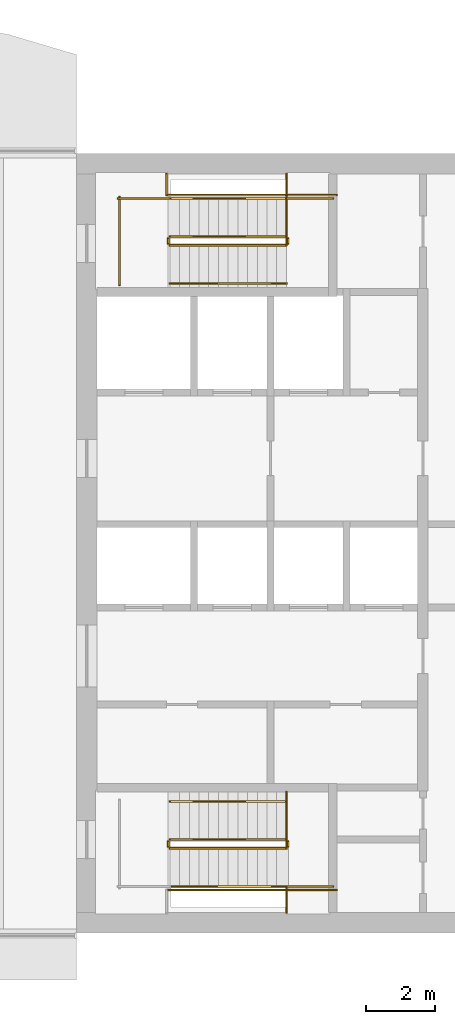
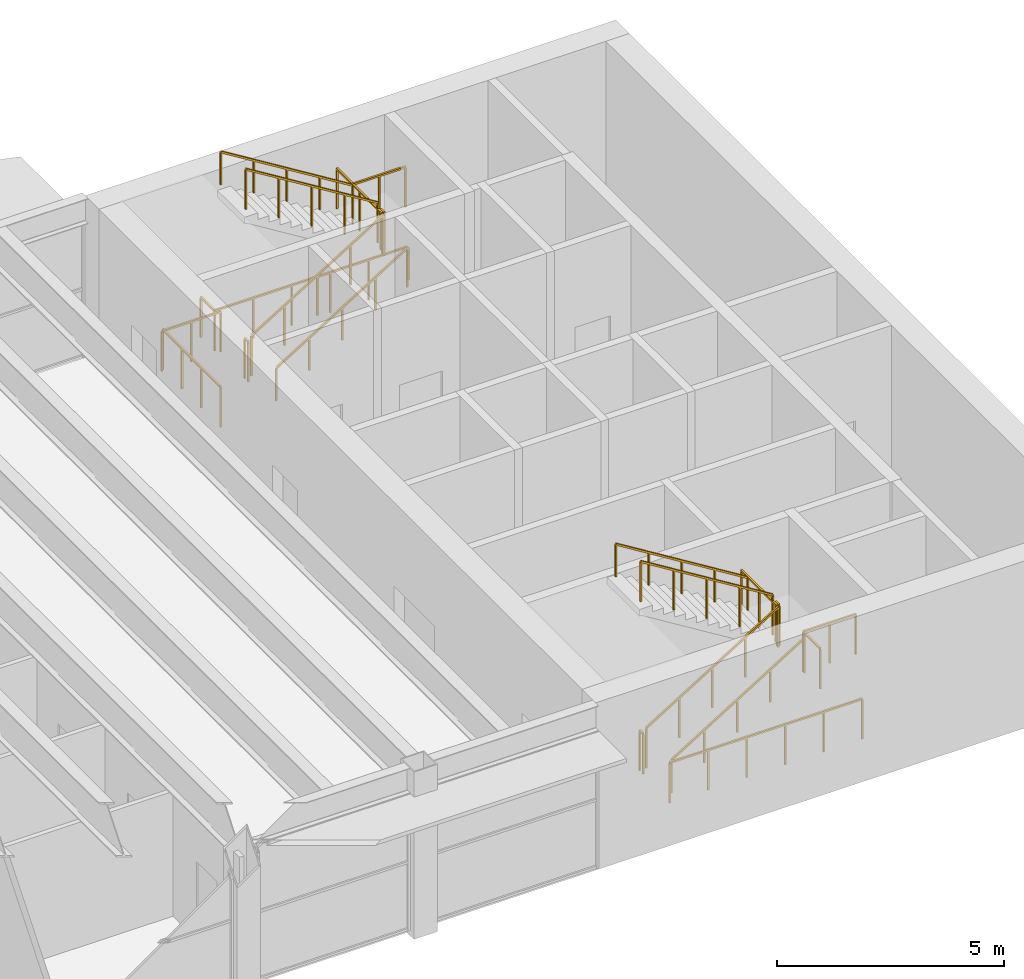
# One storey, part 14 of 14: 22 railings.
"""IFC4 building model written with IfcOpenShell, lengths in metres."""

from ifc_helpers import new_model, si_unit, direction, frame, origin, origin_2d, place, context, subcontext, project, spatial, rectangle, extrude, material, type_object, element, save


model = new_model("IFC4")

# Units and contexts
model_context = context("Model", 3, precision=1e-05, world=origin(), true_north=direction((0.0, 1.0)))
body_context = subcontext(model_context, "Body", "Model", "MODEL_VIEW")
ifc_project = project(units=[si_unit("LENGTHUNIT", "METRE"), si_unit("AREAUNIT", "SQUARE_METRE"), si_unit("VOLUMEUNIT", "CUBIC_METRE"), si_unit("PLANEANGLEUNIT", "RADIAN"), si_unit("MASSUNIT", "GRAM", prefix="KILO")], contexts=[model_context])

# Site, building, storey
site_placement = place(None, origin())
site = spatial("IfcSite", under=ifc_project, at=site_placement, CompositionType="ELEMENT")
building_placement = place(site_placement, origin())
building = spatial("IfcBuilding", under=site, at=building_placement, Name="Sennacour Bend Tower", CompositionType="ELEMENT")
storey_placement = place(building_placement, frame((0.0, 0.0, 305.0)))
storey = spatial("IfcBuildingStorey", under=building, at=storey_placement, Name="L70", CompositionType="ELEMENT", Elevation=305.0)

# Railings
ifc_material = material(Name="Stainless steel", Category="steel")
railing_type_1 = type_object("IfcRailingType", Name="RL-GUARD-1100", PredefinedType="GUARDRAIL", material=ifc_material)
railing_1_placement = place(storey_placement, frame((56.699951171875, 2.449951171875, 0.173095703125)))
element("IfcRailing", 1, at=railing_1_placement, inside=storey, type_object=railing_type_1, Name="L70 SA1 stair guard 1", PredefinedType="GUARDRAIL", context=body_context, shape_type="SweptSolid", body=[
    extrude(rectangle(XDim=0.048095703125, YDim=0.048095703125, at=origin_2d()), frame((0.0, 0.0, 1.076171875), z_axis=(0.850623216509, 0.0, 0.525775754039), x_axis=(0.0, 1.0, 0.0)), (0.0, 0.0, 1.0), 3.9501953125),
    extrude(rectangle(XDim=0.0419921875, YDim=0.0419921875, at=origin_2d()), origin(), (0.0, 0.0, 1.0), 1.052001953125),
    extrude(rectangle(XDim=0.0419921875, YDim=0.0419921875, at=origin_2d()), frame((0.840087890625, 0.0, 0.519287109375)), (0.0, 0.0, 1.0), 1.052001953125),
    extrude(rectangle(XDim=0.0419921875, YDim=0.0419921875, at=origin_2d()), frame((1.68017578125, 0.0, 1.03857421875)), (0.0, 0.0, 1.0), 1.052001953125),
    extrude(rectangle(XDim=0.0419921875, YDim=0.0419921875, at=origin_2d()), frame((2.52001953125, 0.0, 1.5576171875)), (0.0, 0.0, 1.0), 1.052001953125),
    extrude(rectangle(XDim=0.0419921875, YDim=0.0419921875, at=origin_2d()), frame((3.360107421875, 0.0, 2.076904296875)), (0.0, 0.0, 1.0), 1.052001953125),
])
railing_2_placement = place(storey_placement, frame((60.110107421875, 2.5, 2.25)))
element("IfcRailing", 2, at=railing_2_placement, inside=storey, type_object=railing_type_1, Name="L70 SA1 stair guard 2", PredefinedType="GUARDRAIL", context=body_context, shape_type="SweptSolid", body=[
    extrude(rectangle(XDim=0.048095703125, YDim=0.048095703125, at=origin_2d()), frame((0.0, 0.0, 1.076171875), z_axis=(0.0, 1.0, 0.0), x_axis=(-1.0, 0.0, 0.0)), (0.0, 0.0, 1.0), 0.14990234375),
    extrude(rectangle(XDim=0.0419921875, YDim=0.0419921875, at=origin_2d()), origin(), (0.0, 0.0, 1.0), 1.052001953125),
    extrude(rectangle(XDim=0.0419921875, YDim=0.0419921875, at=origin_2d()), frame((0.0, 0.14990234375, 0.0)), (0.0, 0.0, 1.0), 1.052001953125),
])
railing_3_placement = place(storey_placement, frame((60.06005859375, 1.35009765625, 2.25)))
element("IfcRailing", 3, at=railing_3_placement, inside=storey, type_object=railing_type_1, Name="L70 SA1 stair guard 3", PredefinedType="GUARDRAIL", context=body_context, shape_type="SweptSolid", body=[
    extrude(rectangle(XDim=0.048095703125, YDim=0.048095703125, at=origin_2d()), frame((0.0, 0.0, 1.076171875), z_axis=(1.0, 0.0, 0.0), x_axis=(0.0, 1.0, 0.0)), (0.0, 0.0, 1.0), 1.33984375),
    extrude(rectangle(XDim=0.0419921875, YDim=0.0419921875, at=origin_2d()), origin(), (0.0, 0.0, 1.0), 1.052001953125),
    extrude(rectangle(XDim=0.0419921875, YDim=0.0419921875, at=origin_2d()), frame((0.669921875, 0.0, 0.0)), (0.0, 0.0, 1.0), 1.052001953125),
    extrude(rectangle(XDim=0.0419921875, YDim=0.0419921875, at=origin_2d()), frame((1.33984375, 0.0, 0.0)), (0.0, 0.0, 1.0), 1.052001953125),
])
railing_4_placement = place(storey_placement, frame((60.06005859375, 2.699951171875, 2.423095703125)))
element("IfcRailing", 4, at=railing_4_placement, inside=storey, type_object=railing_type_1, Name="L70 SA1 stair guard 4", PredefinedType="GUARDRAIL", context=body_context, shape_type="SweptSolid", body=[
    extrude(rectangle(XDim=0.048095703125, YDim=0.048095703125, at=origin_2d()), frame((0.0, 0.0, 1.076171875), z_axis=(-0.850623216509, 0.0, 0.525775754039), x_axis=(0.0, -1.0, 0.0)), (0.0, 0.0, 1.0), 3.9501953125),
    extrude(rectangle(XDim=0.0419921875, YDim=0.0419921875, at=origin_2d()), origin(), (0.0, 0.0, 1.0), 1.052001953125),
    extrude(rectangle(XDim=0.0419921875, YDim=0.0419921875, at=origin_2d()), frame((-0.840087890625, 0.0, 0.519287109375)), (0.0, 0.0, 1.0), 1.052001953125),
    extrude(rectangle(XDim=0.0419921875, YDim=0.0419921875, at=origin_2d()), frame((-1.68017578125, 0.0, 1.03857421875)), (0.0, 0.0, 1.0), 1.052001953125),
    extrude(rectangle(XDim=0.0419921875, YDim=0.0419921875, at=origin_2d()), frame((-2.52001953125, 0.0, 1.5576171875)), (0.0, 0.0, 1.0), 1.052001953125),
    extrude(rectangle(XDim=0.0419921875, YDim=0.0419921875, at=origin_2d()), frame((-3.360107421875, 0.0, 2.076904296875)), (0.0, 0.0, 1.0), 1.052001953125),
])
railing_5_placement = place(storey_placement, frame((56.64990234375, 2.5, 0.0)))
element("IfcRailing", 5, at=railing_5_placement, inside=storey, type_object=railing_type_1, Name="L70 SA1 stair guard 5", PredefinedType="GUARDRAIL", context=body_context, shape_type="SweptSolid", body=[
    extrude(rectangle(XDim=0.048095703125, YDim=0.048095703125, at=origin_2d()), frame((0.0, 0.0, 1.076171875), z_axis=(0.0, 1.0, 0.0), x_axis=(-1.0, 0.0, 0.0)), (0.0, 0.0, 1.0), 0.14990234375),
    extrude(rectangle(XDim=0.0419921875, YDim=0.0419921875, at=origin_2d()), origin(), (0.0, 0.0, 1.0), 1.052001953125),
    extrude(rectangle(XDim=0.0419921875, YDim=0.0419921875, at=origin_2d()), frame((0.0, 0.14990234375, 0.0)), (0.0, 0.0, 1.0), 1.052001953125),
])
railing_6_placement = place(storey_placement, frame((56.60009765625, 1.25, 0.0)))
element("IfcRailing", 6, at=railing_6_placement, inside=storey, type_object=railing_type_1, Name="L70 SA1 stair guard 8", PredefinedType="GUARDRAIL", context=body_context, shape_type="SweptSolid", body=[
    extrude(rectangle(XDim=0.048095703125, YDim=0.048095703125, at=origin_2d()), frame((0.0, 0.0, 1.076171875), z_axis=(1.0, 0.0, 0.0), x_axis=(0.0, 1.0, 0.0)), (0.0, 0.0, 1.0), 4.89990234375),
    extrude(rectangle(XDim=0.0419921875, YDim=0.0419921875, at=origin_2d()), origin(), (0.0, 0.0, 1.0), 1.052001953125),
    extrude(rectangle(XDim=0.0419921875, YDim=0.0419921875, at=origin_2d()), frame((0.97998046875, 0.0, 0.0)), (0.0, 0.0, 1.0), 1.052001953125),
    extrude(rectangle(XDim=0.0419921875, YDim=0.0419921875, at=origin_2d()), frame((1.9599609375, 0.0, 0.0)), (0.0, 0.0, 1.0), 1.052001953125),
    extrude(rectangle(XDim=0.0419921875, YDim=0.0419921875, at=origin_2d()), frame((2.93994140625, 0.0, 0.0)), (0.0, 0.0, 1.0), 1.052001953125),
    extrude(rectangle(XDim=0.0419921875, YDim=0.0419921875, at=origin_2d()), frame((3.919921875, 0.0, 0.0)), (0.0, 0.0, 1.0), 1.052001953125),
    extrude(rectangle(XDim=0.0419921875, YDim=0.0419921875, at=origin_2d()), frame((4.89990234375, 0.0, 0.0)), (0.0, 0.0, 1.0), 1.052001953125),
])
railing_7_placement = place(storey_placement, frame((60.06005859375, 0.60009765625, 2.25)))
element("IfcRailing", 7, at=railing_7_placement, inside=storey, type_object=railing_type_1, Name="L70 SA1 landing edge guard 113", PredefinedType="GUARDRAIL", context=body_context, shape_type="SweptSolid", body=[
    extrude(rectangle(XDim=0.048095703125, YDim=0.048095703125, at=origin_2d()), frame((0.0, 0.0, 1.076171875), z_axis=(0.0, 1.0, 0.0), x_axis=(-1.0, 0.0, 0.0)), (0.0, 0.0, 1.0), 0.699951171875),
    extrude(rectangle(XDim=0.0419921875, YDim=0.0419921875, at=origin_2d()), origin(), (0.0, 0.0, 1.0), 1.052001953125),
    extrude(rectangle(XDim=0.0419921875, YDim=0.0419921875, at=origin_2d()), frame((0.0, 0.699951171875, 0.0)), (0.0, 0.0, 1.0), 1.052001953125),
])
railing_8_placement = place(storey_placement, frame((60.06005859375, 2.5, 2.25)))
element("IfcRailing", 8, at=railing_8_placement, inside=storey, type_object=railing_type_1, Name="L70 SA1 landing edge guard 114", PredefinedType="GUARDRAIL", context=body_context, shape_type="SweptSolid", body=[
    extrude(rectangle(XDim=0.048095703125, YDim=0.048095703125, at=origin_2d()), frame((0.0, 0.0, 1.076171875), z_axis=(0.0, 1.0, 0.0), x_axis=(-1.0, 0.0, 0.0)), (0.0, 0.0, 1.0), 1.574951171875),
    extrude(rectangle(XDim=0.0419921875, YDim=0.0419921875, at=origin_2d()), origin(), (0.0, 0.0, 1.0), 1.052001953125),
    extrude(rectangle(XDim=0.0419921875, YDim=0.0419921875, at=origin_2d()), frame((0.0, 0.78759765625, 0.0)), (0.0, 0.0, 1.0), 1.052001953125),
    extrude(rectangle(XDim=0.0419921875, YDim=0.0419921875, at=origin_2d()), frame((0.0, 1.574951171875, 0.0)), (0.0, 0.0, 1.0), 1.052001953125),
])
railing_9_placement = place(storey_placement, frame((56.699951171875, 19.85009765625, 0.173095703125)))
element("IfcRailing", 9, at=railing_9_placement, inside=storey, type_object=railing_type_1, Name="L70 SA2 stair guard 1", PredefinedType="GUARDRAIL", context=body_context, shape_type="SweptSolid", body=[
    extrude(rectangle(XDim=0.048095703125, YDim=0.048095703125, at=origin_2d()), frame((0.0, 0.0, 1.076171875), z_axis=(0.850623216509, 0.0, 0.525775754039), x_axis=(0.0, 1.0, 0.0)), (0.0, 0.0, 1.0), 3.9501953125),
    extrude(rectangle(XDim=0.0419921875, YDim=0.0419921875, at=origin_2d()), origin(), (0.0, 0.0, 1.0), 1.052001953125),
    extrude(rectangle(XDim=0.0419921875, YDim=0.0419921875, at=origin_2d()), frame((0.840087890625, 0.0, 0.519287109375)), (0.0, 0.0, 1.0), 1.052001953125),
    extrude(rectangle(XDim=0.0419921875, YDim=0.0419921875, at=origin_2d()), frame((1.68017578125, 0.0, 1.03857421875)), (0.0, 0.0, 1.0), 1.052001953125),
    extrude(rectangle(XDim=0.0419921875, YDim=0.0419921875, at=origin_2d()), frame((2.52001953125, 0.0, 1.5576171875)), (0.0, 0.0, 1.0), 1.052001953125),
    extrude(rectangle(XDim=0.0419921875, YDim=0.0419921875, at=origin_2d()), frame((3.360107421875, 0.0, 2.076904296875)), (0.0, 0.0, 1.0), 1.052001953125),
])
railing_10_placement = place(storey_placement, frame((60.110107421875, 19.89990234375, 2.25)))
element("IfcRailing", 10, at=railing_10_placement, inside=storey, type_object=railing_type_1, Name="L70 SA2 stair guard 2", PredefinedType="GUARDRAIL", context=body_context, shape_type="SweptSolid", body=[
    extrude(rectangle(XDim=0.048095703125, YDim=0.048095703125, at=origin_2d()), frame((0.0, 0.0, 1.076171875), z_axis=(0.0, 1.0, 0.0), x_axis=(-1.0, 0.0, 0.0)), (0.0, 0.0, 1.0), 0.150146484375),
    extrude(rectangle(XDim=0.0419921875, YDim=0.0419921875, at=origin_2d()), origin(), (0.0, 0.0, 1.0), 1.052001953125),
    extrude(rectangle(XDim=0.0419921875, YDim=0.0419921875, at=origin_2d()), frame((0.0, 0.150146484375, 0.0)), (0.0, 0.0, 1.0), 1.052001953125),
])
railing_11_placement = place(storey_placement, frame((60.06005859375, 21.199951171875, 2.25)))
element("IfcRailing", 11, at=railing_11_placement, inside=storey, type_object=railing_type_1, Name="L70 SA2 stair guard 3", PredefinedType="GUARDRAIL", context=body_context, shape_type="SweptSolid", body=[
    extrude(rectangle(XDim=0.048095703125, YDim=0.048095703125, at=origin_2d()), frame((0.0, 0.0, 1.076171875), z_axis=(1.0, 0.0, 0.0), x_axis=(0.0, 1.0, 0.0)), (0.0, 0.0, 1.0), 1.33984375),
    extrude(rectangle(XDim=0.0419921875, YDim=0.0419921875, at=origin_2d()), origin(), (0.0, 0.0, 1.0), 1.052001953125),
    extrude(rectangle(XDim=0.0419921875, YDim=0.0419921875, at=origin_2d()), frame((0.669921875, 0.0, 0.0)), (0.0, 0.0, 1.0), 1.052001953125),
    extrude(rectangle(XDim=0.0419921875, YDim=0.0419921875, at=origin_2d()), frame((1.33984375, 0.0, 0.0)), (0.0, 0.0, 1.0), 1.052001953125),
])
railing_12_placement = place(storey_placement, frame((60.06005859375, 20.10009765625, 2.423095703125)))
element("IfcRailing", 12, at=railing_12_placement, inside=storey, type_object=railing_type_1, Name="L70 SA2 stair guard 4", PredefinedType="GUARDRAIL", context=body_context, shape_type="SweptSolid", body=[
    extrude(rectangle(XDim=0.048095703125, YDim=0.048095703125, at=origin_2d()), frame((0.0, 0.0, 1.076171875), z_axis=(-0.850623216509, 0.0, 0.525775754039), x_axis=(0.0, -1.0, 0.0)), (0.0, 0.0, 1.0), 3.9501953125),
    extrude(rectangle(XDim=0.0419921875, YDim=0.0419921875, at=origin_2d()), origin(), (0.0, 0.0, 1.0), 1.052001953125),
    extrude(rectangle(XDim=0.0419921875, YDim=0.0419921875, at=origin_2d()), frame((-0.840087890625, 0.0, 0.519287109375)), (0.0, 0.0, 1.0), 1.052001953125),
    extrude(rectangle(XDim=0.0419921875, YDim=0.0419921875, at=origin_2d()), frame((-1.68017578125, 0.0, 1.03857421875)), (0.0, 0.0, 1.0), 1.052001953125),
    extrude(rectangle(XDim=0.0419921875, YDim=0.0419921875, at=origin_2d()), frame((-2.52001953125, 0.0, 1.5576171875)), (0.0, 0.0, 1.0), 1.052001953125),
    extrude(rectangle(XDim=0.0419921875, YDim=0.0419921875, at=origin_2d()), frame((-3.360107421875, 0.0, 2.076904296875)), (0.0, 0.0, 1.0), 1.052001953125),
])
railing_13_placement = place(storey_placement, frame((56.64990234375, 19.89990234375, 0.0)))
element("IfcRailing", 13, at=railing_13_placement, inside=storey, type_object=railing_type_1, Name="L70 SA2 stair guard 5", PredefinedType="GUARDRAIL", context=body_context, shape_type="SweptSolid", body=[
    extrude(rectangle(XDim=0.048095703125, YDim=0.048095703125, at=origin_2d()), frame((0.0, 0.0, 1.076171875), z_axis=(0.0, 1.0, 0.0), x_axis=(-1.0, 0.0, 0.0)), (0.0, 0.0, 1.0), 0.150146484375),
    extrude(rectangle(XDim=0.0419921875, YDim=0.0419921875, at=origin_2d()), origin(), (0.0, 0.0, 1.0), 1.052001953125),
    extrude(rectangle(XDim=0.0419921875, YDim=0.0419921875, at=origin_2d()), frame((0.0, 0.150146484375, 0.0)), (0.0, 0.0, 1.0), 1.052001953125),
])
railing_14_placement = place(storey_placement, frame((55.199951171875, 21.199951171875, 0.0)))
element("IfcRailing", 14, at=railing_14_placement, inside=storey, type_object=railing_type_1, Name="L70 SA2 stair guard 6", PredefinedType="GUARDRAIL", context=body_context, shape_type="SweptSolid", body=[
    extrude(rectangle(XDim=0.048095703125, YDim=0.048095703125, at=origin_2d()), frame((0.0, 0.0, 1.076171875), z_axis=(1.0, 0.0, 0.0), x_axis=(0.0, 1.0, 0.0)), (0.0, 0.0, 1.0), 1.5),
    extrude(rectangle(XDim=0.0419921875, YDim=0.0419921875, at=origin_2d()), origin(), (0.0, 0.0, 1.0), 1.052001953125),
    extrude(rectangle(XDim=0.0419921875, YDim=0.0419921875, at=origin_2d()), frame((0.75, 0.0, 0.0)), (0.0, 0.0, 1.0), 1.052001953125),
    extrude(rectangle(XDim=0.0419921875, YDim=0.0419921875, at=origin_2d()), frame((1.5, 0.0, 0.0)), (0.0, 0.0, 1.0), 1.052001953125),
])
railing_15_placement = place(storey_placement, frame((55.25, 18.699951171875, 0.0)))
element("IfcRailing", 15, at=railing_15_placement, inside=storey, type_object=railing_type_1, Name="L70 SA2 stair guard 7", PredefinedType="GUARDRAIL", context=body_context, shape_type="SweptSolid", body=[
    extrude(rectangle(XDim=0.048095703125, YDim=0.048095703125, at=origin_2d()), frame((0.0, 0.0, 1.076171875), z_axis=(0.0, 1.0, 0.0), x_axis=(-1.0, 0.0, 0.0)), (0.0, 0.0, 1.0), 2.550048828125),
    extrude(rectangle(XDim=0.0419921875, YDim=0.0419921875, at=origin_2d()), origin(), (0.0, 0.0, 1.0), 1.052001953125),
    extrude(rectangle(XDim=0.0419921875, YDim=0.0419921875, at=origin_2d()), frame((0.0, 0.85009765625, 0.0)), (0.0, 0.0, 1.0), 1.052001953125),
    extrude(rectangle(XDim=0.0419921875, YDim=0.0419921875, at=origin_2d()), frame((0.0, 1.699951171875, 0.0)), (0.0, 0.0, 1.0), 1.052001953125),
    extrude(rectangle(XDim=0.0419921875, YDim=0.0419921875, at=origin_2d()), frame((0.0, 2.550048828125, 0.0)), (0.0, 0.0, 1.0), 1.052001953125),
])
railing_16_placement = place(storey_placement, frame((56.60009765625, 21.300048828125, 0.0)))
element("IfcRailing", 16, at=railing_16_placement, inside=storey, type_object=railing_type_1, Name="L70 SA2 stair guard 8", PredefinedType="GUARDRAIL", context=body_context, shape_type="SweptSolid", body=[
    extrude(rectangle(XDim=0.048095703125, YDim=0.048095703125, at=origin_2d()), frame((0.0, 0.0, 1.076171875), z_axis=(1.0, 0.0, 0.0), x_axis=(0.0, 1.0, 0.0)), (0.0, 0.0, 1.0), 4.89990234375),
    extrude(rectangle(XDim=0.0419921875, YDim=0.0419921875, at=origin_2d()), origin(), (0.0, 0.0, 1.0), 1.052001953125),
    extrude(rectangle(XDim=0.0419921875, YDim=0.0419921875, at=origin_2d()), frame((0.97998046875, 0.0, 0.0)), (0.0, 0.0, 1.0), 1.052001953125),
    extrude(rectangle(XDim=0.0419921875, YDim=0.0419921875, at=origin_2d()), frame((1.9599609375, 0.0, 0.0)), (0.0, 0.0, 1.0), 1.052001953125),
    extrude(rectangle(XDim=0.0419921875, YDim=0.0419921875, at=origin_2d()), frame((2.93994140625, 0.0, 0.0)), (0.0, 0.0, 1.0), 1.052001953125),
    extrude(rectangle(XDim=0.0419921875, YDim=0.0419921875, at=origin_2d()), frame((3.919921875, 0.0, 0.0)), (0.0, 0.0, 1.0), 1.052001953125),
    extrude(rectangle(XDim=0.0419921875, YDim=0.0419921875, at=origin_2d()), frame((4.89990234375, 0.0, 0.0)), (0.0, 0.0, 1.0), 1.052001953125),
])
railing_17_placement = place(storey_placement, frame((60.06005859375, 19.89990234375, 2.25)))
element("IfcRailing", 17, at=railing_17_placement, inside=storey, type_object=railing_type_1, Name="L70 SA2 landing edge guard 93", PredefinedType="GUARDRAIL", context=body_context, shape_type="SweptSolid", body=[
    extrude(rectangle(XDim=0.048095703125, YDim=0.048095703125, at=origin_2d()), frame((0.0, 0.0, 1.076171875), z_axis=(0.0, 1.0, 0.0), x_axis=(-1.0, 0.0, 0.0)), (0.0, 0.0, 1.0), 2.0),
    extrude(rectangle(XDim=0.0419921875, YDim=0.0419921875, at=origin_2d()), origin(), (0.0, 0.0, 1.0), 1.052001953125),
    extrude(rectangle(XDim=0.0419921875, YDim=0.0419921875, at=origin_2d()), frame((0.0, 1.0, 0.0)), (0.0, 0.0, 1.0), 1.052001953125),
    extrude(rectangle(XDim=0.0419921875, YDim=0.0419921875, at=origin_2d()), frame((0.0, 2.0, 0.0)), (0.0, 0.0, 1.0), 1.052001953125),
])
railing_18_placement = place(storey_placement, frame((56.60009765625, 21.300048828125, 0.0)))
element("IfcRailing", 18, at=railing_18_placement, inside=storey, type_object=railing_type_1, Name="L70 SA2 landing edge guard 124", PredefinedType="GUARDRAIL", context=body_context, shape_type="SweptSolid", body=[
    extrude(rectangle(XDim=0.048095703125, YDim=0.048095703125, at=origin_2d()), frame((0.0, 0.0, 1.076171875), z_axis=(0.0, 1.0, 0.0), x_axis=(-1.0, 0.0, 0.0)), (0.0, 0.0, 1.0), 0.599853515625),
    extrude(rectangle(XDim=0.0419921875, YDim=0.0419921875, at=origin_2d()), origin(), (0.0, 0.0, 1.0), 1.052001953125),
    extrude(rectangle(XDim=0.0419921875, YDim=0.0419921875, at=origin_2d()), frame((0.0, 0.599853515625, 0.0)), (0.0, 0.0, 1.0), 1.052001953125),
])
railing_type_2 = type_object("IfcRailingType", Name="RL-HANDRAIL-900", PredefinedType="HANDRAIL", material=ifc_material)
railing_19_placement = place(storey_placement, frame((56.699951171875, 1.35009765625, 0.173095703125)))
element("IfcRailing", 19, at=railing_19_placement, inside=storey, type_object=railing_type_2, Name="L70 SA1 stair handrail 1", PredefinedType="HANDRAIL", context=body_context, shape_type="SweptSolid", body=[
    extrude(rectangle(XDim=0.048095703125, YDim=0.048095703125, at=origin_2d()), frame((0.0, 0.0, 0.8759765625), z_axis=(0.850623216509, 0.0, 0.525775754039), x_axis=(0.0, 1.0, 0.0)), (0.0, 0.0, 1.0), 3.9501953125),
    extrude(rectangle(XDim=0.0419921875, YDim=0.0419921875, at=origin_2d()), origin(), (0.0, 0.0, 1.0), 0.851806640625),
    extrude(rectangle(XDim=0.0419921875, YDim=0.0419921875, at=origin_2d()), frame((0.840087890625, 0.0, 0.519287109375)), (0.0, 0.0, 1.0), 0.851806640625),
    extrude(rectangle(XDim=0.0419921875, YDim=0.0419921875, at=origin_2d()), frame((1.68017578125, 0.0, 1.03857421875)), (0.0, 0.0, 1.0), 0.851806640625),
    extrude(rectangle(XDim=0.0419921875, YDim=0.0419921875, at=origin_2d()), frame((2.52001953125, 0.0, 1.5576171875)), (0.0, 0.0, 1.0), 0.851806640625),
    extrude(rectangle(XDim=0.0419921875, YDim=0.0419921875, at=origin_2d()), frame((3.360107421875, 0.0, 2.076904296875)), (0.0, 0.0, 1.0), 0.851806640625),
])
railing_20_placement = place(storey_placement, frame((60.06005859375, 3.800048828125, 2.423095703125)))
element("IfcRailing", 20, at=railing_20_placement, inside=storey, type_object=railing_type_2, Name="L70 SA1 stair handrail 2", PredefinedType="HANDRAIL", context=body_context, shape_type="SweptSolid", body=[
    extrude(rectangle(XDim=0.048095703125, YDim=0.048095703125, at=origin_2d()), frame((0.0, 0.0, 0.8759765625), z_axis=(-0.850623216509, 0.0, 0.525775754039), x_axis=(0.0, -1.0, 0.0)), (0.0, 0.0, 1.0), 3.9501953125),
    extrude(rectangle(XDim=0.0419921875, YDim=0.0419921875, at=origin_2d()), origin(), (0.0, 0.0, 1.0), 0.851806640625),
    extrude(rectangle(XDim=0.0419921875, YDim=0.0419921875, at=origin_2d()), frame((-0.840087890625, 0.0, 0.519287109375)), (0.0, 0.0, 1.0), 0.851806640625),
    extrude(rectangle(XDim=0.0419921875, YDim=0.0419921875, at=origin_2d()), frame((-1.68017578125, 0.0, 1.03857421875)), (0.0, 0.0, 1.0), 0.851806640625),
    extrude(rectangle(XDim=0.0419921875, YDim=0.0419921875, at=origin_2d()), frame((-2.52001953125, 0.0, 1.5576171875)), (0.0, 0.0, 1.0), 0.851806640625),
    extrude(rectangle(XDim=0.0419921875, YDim=0.0419921875, at=origin_2d()), frame((-3.360107421875, 0.0, 2.076904296875)), (0.0, 0.0, 1.0), 0.851806640625),
])
railing_21_placement = place(storey_placement, frame((56.699951171875, 18.75, 0.173095703125)))
element("IfcRailing", 21, at=railing_21_placement, inside=storey, type_object=railing_type_2, Name="L70 SA2 stair handrail 1", PredefinedType="HANDRAIL", context=body_context, shape_type="SweptSolid", body=[
    extrude(rectangle(XDim=0.048095703125, YDim=0.048095703125, at=origin_2d()), frame((0.0, 0.0, 0.8759765625), z_axis=(0.850623216509, 0.0, 0.525775754039), x_axis=(0.0, 1.0, 0.0)), (0.0, 0.0, 1.0), 3.9501953125),
    extrude(rectangle(XDim=0.0419921875, YDim=0.0419921875, at=origin_2d()), origin(), (0.0, 0.0, 1.0), 0.851806640625),
    extrude(rectangle(XDim=0.0419921875, YDim=0.0419921875, at=origin_2d()), frame((0.840087890625, 0.0, 0.519287109375)), (0.0, 0.0, 1.0), 0.851806640625),
    extrude(rectangle(XDim=0.0419921875, YDim=0.0419921875, at=origin_2d()), frame((1.68017578125, 0.0, 1.03857421875)), (0.0, 0.0, 1.0), 0.851806640625),
    extrude(rectangle(XDim=0.0419921875, YDim=0.0419921875, at=origin_2d()), frame((2.52001953125, 0.0, 1.5576171875)), (0.0, 0.0, 1.0), 0.851806640625),
    extrude(rectangle(XDim=0.0419921875, YDim=0.0419921875, at=origin_2d()), frame((3.360107421875, 0.0, 2.076904296875)), (0.0, 0.0, 1.0), 0.851806640625),
])
railing_22_placement = place(storey_placement, frame((60.06005859375, 21.199951171875, 2.423095703125)))
element("IfcRailing", 22, at=railing_22_placement, inside=storey, type_object=railing_type_2, Name="L70 SA2 stair handrail 2", PredefinedType="HANDRAIL", context=body_context, shape_type="SweptSolid", body=[
    extrude(rectangle(XDim=0.048095703125, YDim=0.048095703125, at=origin_2d()), frame((0.0, 0.0, 0.8759765625), z_axis=(-0.850623216509, 0.0, 0.525775754039), x_axis=(0.0, -1.0, 0.0)), (0.0, 0.0, 1.0), 3.9501953125),
    extrude(rectangle(XDim=0.0419921875, YDim=0.0419921875, at=origin_2d()), origin(), (0.0, 0.0, 1.0), 0.851806640625),
    extrude(rectangle(XDim=0.0419921875, YDim=0.0419921875, at=origin_2d()), frame((-0.840087890625, 0.0, 0.519287109375)), (0.0, 0.0, 1.0), 0.851806640625),
    extrude(rectangle(XDim=0.0419921875, YDim=0.0419921875, at=origin_2d()), frame((-1.68017578125, 0.0, 1.03857421875)), (0.0, 0.0, 1.0), 0.851806640625),
    extrude(rectangle(XDim=0.0419921875, YDim=0.0419921875, at=origin_2d()), frame((-2.52001953125, 0.0, 1.5576171875)), (0.0, 0.0, 1.0), 0.851806640625),
    extrude(rectangle(XDim=0.0419921875, YDim=0.0419921875, at=origin_2d()), frame((-3.360107421875, 0.0, 2.076904296875)), (0.0, 0.0, 1.0), 0.851806640625),
])

save(model, "model.ifc")
